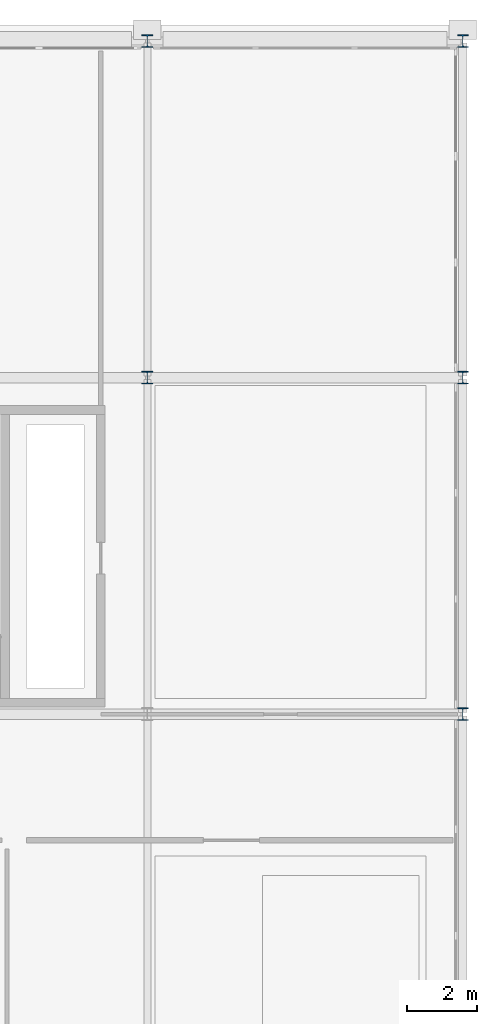
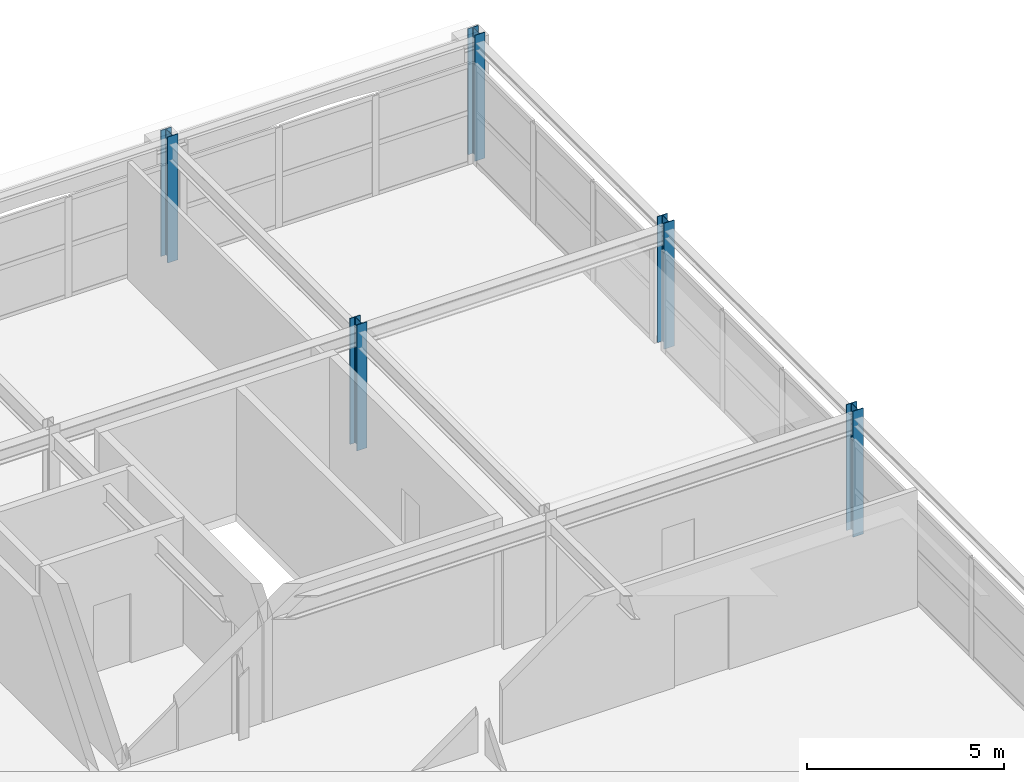
# One storey, part 8 of 25: 5 columns.
"""IFC4 building model written with IfcOpenShell, lengths in metres."""

import ifcopenshell
import ifcopenshell.guid

model = None  # the IFC model being written
_history = None  # IfcOwnerHistory: only IFC2X3 demands one
_inside = {}  # id of a spatial element -> (the spatial element, [elements in it])
_under = {}  # id of a project, library or spatial element -> (it, [spatial elements below it])
_declared = {}  # id of a project -> (the project, [libraries it declares])
_typed = {}  # id of a type object -> (the type object, [elements of that type])
_made_of = {}  # id of a material, layer set ... -> (it, [elements and type objects made of it])


def new_model(schema):
    """Start an empty IFC model of exactly this schema.

    Asked for "IFC4X3", IfcOpenShell would pick the latest addendum, in which some entities
    have other attributes; the version numbers below select the first issue.
    IFC2X3 requires an IfcOwnerHistory on every rooted entity: one is made here for all.
    """
    global model, _history
    if schema == "IFC4X3":
        model = ifcopenshell.file(schema_version=(4, 3, 0, 0))
    else:
        model = ifcopenshell.file(schema=schema)
    _inside.clear()
    _under.clear()
    _declared.clear()
    _typed.clear()
    _made_of.clear()
    _history = None
    if model.schema == "IFC2X3":
        org = make("IfcOrganization", Name="unknown")
        user = make(
            "IfcPersonAndOrganization",
            ThePerson=make("IfcPerson", FamilyName="unknown"),
            TheOrganization=org,
        )
        app = make(
            "IfcApplication",
            ApplicationDeveloper=org,
            Version="unknown",
            ApplicationFullName="unknown",
            ApplicationIdentifier="unknown",
        )
        _history = make(
            "IfcOwnerHistory",
            OwningUser=user,
            OwningApplication=app,
            ChangeAction="ADDED",
            CreationDate=0,
        )
    return model


def make(cls, **values):
    """One entity of the class cls with the attributes given. An attribute that is None is left unset."""
    return model.create_entity(
        cls, **{name: value for name, value in values.items() if value is not None}
    )


def rooted(cls, **values):
    """An entity with a GlobalId (a new one), such as an element, a storey or a relation."""
    return make(cls, GlobalId=ifcopenshell.guid.new(), OwnerHistory=_history, **values)


def si_unit(unit_type, name, prefix=None):
    """IfcSIUnit, for example si_unit("LENGTHUNIT", "METRE", prefix="MILLI")."""
    return make("IfcSIUnit", UnitType=unit_type, Prefix=prefix, Name=name)


def assignment(units):
    """IfcUnitAssignment: the units of a project."""
    return None if units is None else make("IfcUnitAssignment", Units=units)


def point(xyz):
    """IfcCartesianPoint."""
    return None if xyz is None else make("IfcCartesianPoint", Coordinates=xyz)


def direction(xyz):
    """IfcDirection."""
    return None if xyz is None else make("IfcDirection", DirectionRatios=xyz)


def frame(location, z_axis=None, x_axis=None):
    """IfcAxis2Placement3D, a coordinate frame: its origin and axes. An axis left out is left unset."""
    return make(
        "IfcAxis2Placement3D",
        Location=point(location),
        Axis=direction(z_axis),
        RefDirection=direction(x_axis),
    )


def frame_2d(location, x_axis=None):
    """IfcAxis2Placement2D, a coordinate frame in the plane: its origin and x axis."""
    return make(
        "IfcAxis2Placement2D", Location=point(location), RefDirection=direction(x_axis)
    )


def origin():
    """The frame at (0, 0, 0) with its axes left unset."""
    return frame((0.0, 0.0, 0.0))


def origin_2d():
    """The frame at (0, 0) in the plane with its x axis left unset."""
    return frame_2d((0.0, 0.0))


def place(relative_to, where):
    """IfcLocalPlacement: puts the frame where relative to a parent placement (None: the world)."""
    return make(
        "IfcLocalPlacement", PlacementRelTo=relative_to, RelativePlacement=where
    )


def context(
    kind, dimensions, precision=None, world=None, true_north=None, identifier=None
):
    """IfcGeometricRepresentationContext, for example the 3D "Model" context."""
    return make(
        "IfcGeometricRepresentationContext",
        ContextIdentifier=identifier,
        ContextType=kind,
        CoordinateSpaceDimension=dimensions,
        Precision=precision,
        WorldCoordinateSystem=world,
        TrueNorth=true_north,
    )


def subcontext(parent, identifier, kind, view, scale=None):
    """IfcGeometricRepresentationSubContext, for example "Body" below "Model"."""
    return make(
        "IfcGeometricRepresentationSubContext",
        ContextIdentifier=identifier,
        ContextType=kind,
        ParentContext=parent,
        TargetScale=scale,
        TargetView=view,
    )


def project(units=None, contexts=None):
    """IfcProject with its units and contexts."""
    return rooted(
        "IfcProject",
        Name="project",
        RepresentationContexts=contexts,
        UnitsInContext=assignment(units),
    )


def spatial(cls, under=None, at=None, **own):
    """A site, building, storey or space (cls), placed at a placement, below another one or the project."""
    s = rooted(cls, ObjectPlacement=at, **own)
    if under is not None:
        _under.setdefault(under.id(), (under, []))[1].append(s)
    return s


def profile(cls, at=None, kind="AREA", **sizes):
    """A parametric profile (cls). Its sizes go by their IFC names, for example OverallWidth=200.0."""
    return make(cls, ProfileType=kind, Position=at, **sizes)


def i_section(**sizes):
    """IfcIShapeProfileDef."""
    return profile("IfcIShapeProfileDef", **sizes)


def extrude(swept, where, along, depth):
    """IfcExtrudedAreaSolid: the profile swept, set in the frame where, extruded along a direction by depth."""
    return make(
        "IfcExtrudedAreaSolid",
        SweptArea=swept,
        Position=where,
        ExtrudedDirection=direction(along),
        Depth=depth,
    )


def shape(context_of_items, identifier, shape_type, items):
    """IfcShapeRepresentation: the items that make up one representation, for example the "Body"."""
    return make(
        "IfcShapeRepresentation",
        ContextOfItems=context_of_items,
        RepresentationIdentifier=identifier,
        RepresentationType=shape_type,
        Items=items,
    )


def material(Name=None, Category=None):
    """IfcMaterial."""
    return make("IfcMaterial", Name=Name, Category=Category)


def material_profile(
    of_material, cross_section, Name=None, Category=None, Priority=None
):
    """IfcMaterialProfile: a cross section and its material."""
    return make(
        "IfcMaterialProfile",
        Name=Name,
        Material=of_material,
        Profile=cross_section,
        Priority=Priority,
        Category=Category,
    )


def profile_set(profiles, Name=None, composite=None):
    """IfcMaterialProfileSet."""
    return make(
        "IfcMaterialProfileSet",
        Name=Name,
        MaterialProfiles=profiles,
        CompositeProfile=composite,
    )


def made_of(thing, what):
    """Note that an element or type object is made of a material, layer set ...; save() writes the relation."""
    if what is not None:
        _made_of.setdefault(what.id(), (what, []))[1].append(thing)
    return thing


def type_object(cls, material=None, **own):
    """A type object (cls), such as IfcWallType, which elements share."""
    return made_of(rooted(cls, **own), material)


def element(
    cls,
    number,
    at=None,
    inside=None,
    cuts=None,
    type_object=None,
    material=None,
    context=None,
    identifier="Body",
    shape_type=None,
    held_by="IfcProductDefinitionShape",
    body=None,
    shapes=None,
    **own,
):
    """One element of the class cls, such as IfcWall. Its Tag is "e" and its number.

    at: its placement. inside: the storey or other place that contains it. cuts: it is an
    opening in that element (IfcRelVoidsElement). A single representation is given by context,
    identifier, shape_type and body (its items); several are given by shapes. held_by: the class
    of the entity that holds the representations. save() writes the other relations.
    """
    e = rooted(cls, Tag="e%d" % number, ObjectPlacement=at, **own)
    if body is not None:
        shapes = [shape(context, identifier, shape_type, body)]
    if shapes is not None:
        e.Representation = make(held_by, Representations=shapes)
    if inside is not None:
        _inside.setdefault(inside.id(), (inside, []))[1].append(e)
    if cuts is not None:
        rooted(
            "IfcRelVoidsElement", RelatingBuildingElement=cuts, RelatedOpeningElement=e
        )
    if type_object is not None:
        _typed.setdefault(type_object.id(), (type_object, []))[1].append(e)
    return made_of(e, material)


def aggregate(whole, parts):
    """IfcRelAggregates: a whole, such as a stair, and the parts it consists of."""
    return rooted("IfcRelAggregates", RelatingObject=whole, RelatedObjects=parts)


def save(model, path):
    """Write the relations noted so far, then the file.

    IfcRelAggregates (storeys below a building ...), IfcRelContainedInSpatialStructure (elements
    in a storey), IfcRelDefinesByType, IfcRelAssociatesMaterial and IfcRelDeclares: one each for
    every whole, place, type object, material and project.
    """
    for whole, parts in _under.values():
        aggregate(whole, parts)
    for where, things in _inside.values():
        rooted(
            "IfcRelContainedInSpatialStructure",
            RelatedElements=things,
            RelatingStructure=where,
        )
    for kind, things in _typed.values():
        rooted("IfcRelDefinesByType", RelatedObjects=things, RelatingType=kind)
    for what, things in _made_of.values():
        rooted("IfcRelAssociatesMaterial", RelatedObjects=things, RelatingMaterial=what)
    for by, libraries in _declared.values():
        rooted("IfcRelDeclares", RelatingContext=by, RelatedDefinitions=libraries)
    model.write(path)


model = new_model("IFC4")

# Units and contexts
model_context = context("Model", 3, precision=1e-05, world=origin(), true_north=direction((0.0, 1.0)))
body_context = subcontext(model_context, "Body", "Model", "MODEL_VIEW")
ifc_project = project(units=[si_unit("LENGTHUNIT", "METRE"), si_unit("AREAUNIT", "SQUARE_METRE"), si_unit("VOLUMEUNIT", "CUBIC_METRE"), si_unit("PLANEANGLEUNIT", "RADIAN"), si_unit("MASSUNIT", "GRAM", prefix="KILO")], contexts=[model_context])

# Site, building, storey
site_placement = place(None, origin())
site = spatial("IfcSite", under=ifc_project, at=site_placement, CompositionType="ELEMENT")
building_placement = place(site_placement, origin())
building = spatial("IfcBuilding", under=site, at=building_placement, Name="Myrtia Square Station", CompositionType="ELEMENT")
storey_placement = place(building_placement, frame((0.0, 0.0, 18.89990234375)))
storey = spatial("IfcBuildingStorey", under=building, at=storey_placement, Name="L04", CompositionType="ELEMENT", Elevation=18.89990234375)

# Columns
ifc_material = material(Name="Steel S355", Category="steel")
ifc_material_profile = material_profile(ifc_material, i_section(OverallWidth=0.300048828125, OverallDepth=0.360107421875, WebThickness=0.012451171875, FlangeThickness=0.0224609375, FilletRadius=0.027099609375, at=origin_2d()), Name="HEB 360")
ifc_profile_set = profile_set([ifc_material_profile], Name="Steel S355")
column_type = type_object("IfcColumnType", Name="COL-HEB360", PredefinedType="COLUMN", material=ifc_profile_set)
for number, where, z_axis, x_axis, name in (
    (1, (180.0, 115.199951171875, 0.0), (0.0, 0.0, 1.0), (1.0, 0.0, 0.0), "Column L04-0981"),
    (2, (180.0, 124.800048828125, 0.0), (0.0, 0.0, 1.0), (1.0, 0.0, 0.0), "Column L04-0987"),
    (3, (189.0, 105.60009765625, 0.0), (0.0, 0.0, 1.0), (1.0, 0.0, 0.0), "Column L04-1005"),
    (4, (189.0, 115.199951171875, 0.0), (0.0, 0.0, 1.0), (1.0, 0.0, 0.0), "Column L04-1011"),
    (5, (189.0, 124.800048828125, 0.0), (0.0, 0.0, 1.0), (1.0, 0.0, 0.0), "Column L04-1017"),
):
    element("IfcColumn", number, at=place(storey_placement, frame(where, z_axis=z_axis, x_axis=x_axis)), inside=storey, type_object=column_type, Name=name, PredefinedType="COLUMN", context=body_context, shape_type="SweptSolid", body=[
        extrude(i_section(OverallWidth=0.300048828125, OverallDepth=0.360107421875, WebThickness=0.012451171875, FlangeThickness=0.0224609375, FilletRadius=0.027099609375, at=origin_2d()), origin(), (0.0, 0.0, 1.0), 3.900146484375),
    ])

save(model, "model.ifc")
